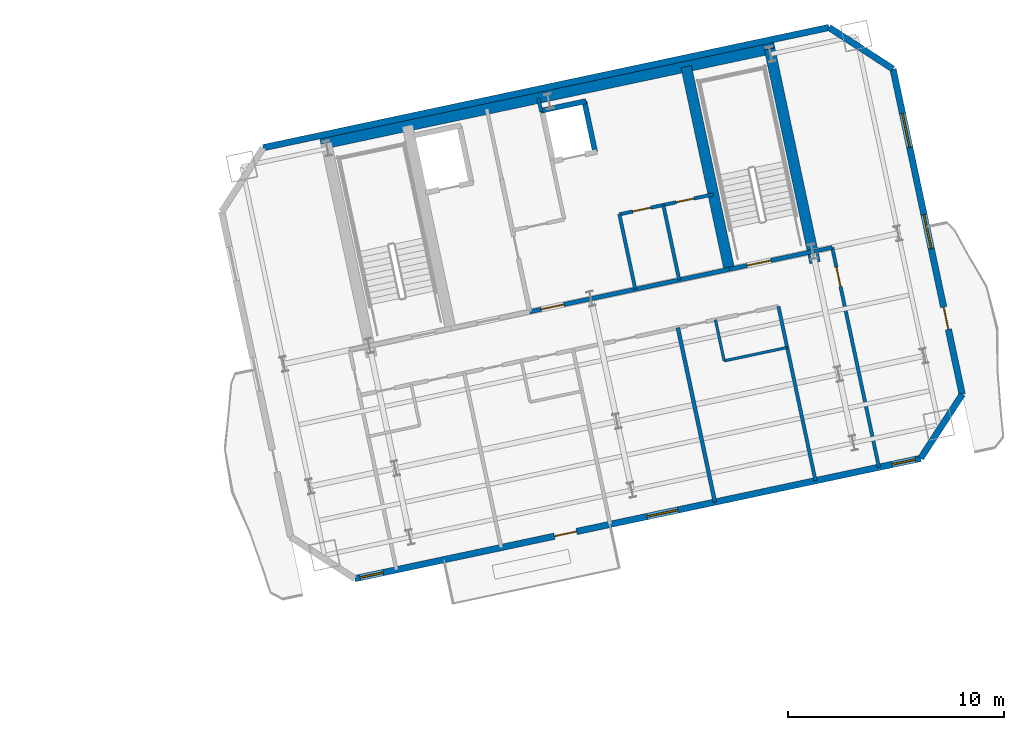
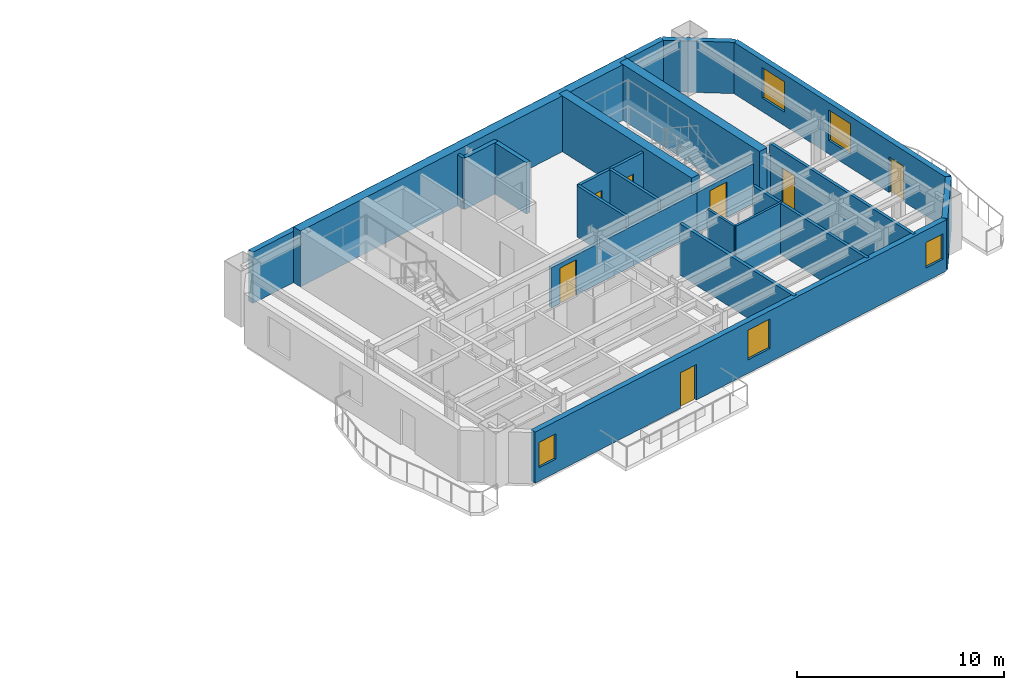
# One storey, part 8 of 13: 22 walls, 7 doors, 5 windows, 12 openings.
"""IFC4 building model written with IfcOpenShell, lengths in metres."""

from ifc_helpers import new_model, si_unit, direction, frame, frame_2d, origin, place, context, subcontext, project, spatial, rectangle, extrude, material, layer, layer_set, type_object, element, fill, save


model = new_model("IFC4")

# Units and contexts
model_context = context("Model", 3, precision=1e-05, world=origin(), true_north=direction((0.0, 1.0)))
body_context = subcontext(model_context, "Body", "Model", "MODEL_VIEW")
ifc_project = project(units=[si_unit("LENGTHUNIT", "METRE"), si_unit("AREAUNIT", "SQUARE_METRE"), si_unit("VOLUMEUNIT", "CUBIC_METRE"), si_unit("PLANEANGLEUNIT", "RADIAN"), si_unit("MASSUNIT", "GRAM", prefix="KILO")], contexts=[model_context])

# Site, building, storey
site_placement = place(None, origin())
site = spatial("IfcSite", under=ifc_project, at=site_placement, CompositionType="ELEMENT")
building_placement = place(site_placement, origin())
building = spatial("IfcBuilding", under=site, at=building_placement, Name="Haevon Station Towers", CompositionType="ELEMENT")
storey_placement = place(building_placement, frame((0.0, 0.0, 159.300048828125)))
storey = spatial("IfcBuildingStorey", under=building, at=storey_placement, Name="L43", CompositionType="ELEMENT", Elevation=159.300048828125)

# Walls
ifc_material_1 = material(Name="Gypsum board on steel stud", Category="steel")
ifc_layer_1 = layer(ifc_material_1, 0.179931640625)
ifc_layer_set_1 = layer_set([ifc_layer_1], Name="Gypsum board on steel stud")
wall_type_1 = type_object("IfcWallType", Name="WL-ACU180", PredefinedType="PARTITIONING", material=ifc_layer_set_1)
wall_1_placement = place(storey_placement, frame((119.29345703125, 41.80859375, 0.0), z_axis=(0.0, 0.0, 1.0), x_axis=(0.978133353907, 0.20797870558, 0.0)))
element("IfcWall", 1, at=wall_1_placement, inside=storey, type_object=wall_type_1, Name="WL-T2PT-L43-03", PredefinedType="PARTITIONING", context=body_context, shape_type="SweptSolid", body=[
    extrude(rectangle(XDim=0.925048828125, YDim=0.179931640625, at=frame_2d((0.46240234375, 0.0))), origin(), (0.0, 0.0, 1.0), 2.3798828125),
])
wall_2_placement = place(storey_placement, frame((114.7646484375, 30.203369140625, 0.0), z_axis=(0.0, 0.0, 1.0), x_axis=(-0.207930161076, 0.978143674577, 0.0)))
element("IfcWall", 2, at=wall_2_placement, inside=storey, type_object=wall_type_1, Name="WL-T2PT-L43-12", PredefinedType="PARTITIONING", context=body_context, shape_type="SweptSolid", body=[
    extrude(rectangle(XDim=8.260009765625, YDim=0.179931640625, at=frame_2d((4.1298828125, 0.0))), origin(), (0.0, 0.0, 1.0), 3.030029296875),
])

# Wall, opening, door
ifc_layer_2 = layer(ifc_material_1, 0.199951171875)
ifc_layer_set_2 = layer_set([ifc_layer_2], Name="Gypsum board on steel stud")
wall_type_2 = type_object("IfcWallType", Name="WL-COR200", PredefinedType="PARTITIONING", material=ifc_layer_set_2)
wall_3_placement = place(storey_placement, frame((115.4296875, 40.9873046875, 0.0), z_axis=(0.0, 0.0, 1.0), x_axis=(0.978146596989, 0.207916413008, 0.0)))
wall_3 = element("IfcWall", 3, at=wall_3_placement, inside=storey, type_object=wall_type_2, Name="WL-ST-ST4-L43", PredefinedType="PARTITIONING", context=body_context, shape_type="SweptSolid", body=[
    extrude(rectangle(XDim=3.9501953125, YDim=0.199951171875, at=frame_2d((1.97509765625, 0.0))), origin(), (0.0, 0.0, 1.0), 2.3798828125),
])
opening_1_placement = place(wall_3_placement, frame((0.85009765625, 0.0, 0.0)))
opening_1 = element("IfcOpeningElement", 4, at=opening_1_placement, cuts=wall_3, Name="Opening DR-ST-ST4-L43", PredefinedType="OPENING", context=body_context, shape_type="SweptSolid", body=[
    extrude(rectangle(XDim=1.1201171875, YDim=2.10009765625, at=frame_2d((0.56005859375, 1.050048828125))), frame((0.0, 0.10986328125, 0.0), z_axis=(0.0, -1.0, 0.0), x_axis=(1.0, 0.0, 0.0)), (0.0, 0.0, 1.0), 0.219970703125),
])
ifc_material_2 = material(Name="Engineered oak timber", Category="wood")
door_type_1 = type_object("IfcDoorType", Name="DR-ST-1120", OperationType="NOTDEFINED", PredefinedType="DOOR", material=ifc_material_2)
door_1_placement = place(opening_1_placement, origin())
door_1 = element("IfcDoor", 5, at=door_1_placement, inside=storey, type_object=door_type_1, Name="L43 Escape Stair ST4 Fire Door", OperationType="SINGLE_SWING_RIGHT", OverallHeight=2.10009765625, OverallWidth=1.1201171875, PredefinedType="DOOR", context=body_context, shape_type="SweptSolid", body=[
    extrude(rectangle(XDim=1.1201171875, YDim=2.10009765625, at=frame_2d((0.56005859375, 1.050048828125))), frame((0.0, 0.02490234375, 0.0), z_axis=(0.0, -1.0, 0.0), x_axis=(1.0, 0.0, 0.0)), (0.0, 0.0, 1.0), 0.050048828125),
])
fill(opening_1, door_1)

wall_4_placement = place(storey_placement, frame((106.186279296875, 39.0224609375, 0.0), z_axis=(0.0, 0.0, 1.0), x_axis=(0.978145519981, 0.20792147975, 0.0)))
wall_4 = element("IfcWall", 6, at=wall_4_placement, inside=storey, type_object=wall_type_2, Name="WL-T2CLB-L43", PredefinedType="PARTITIONING", context=body_context, shape_type="SweptSolid", body=[
    extrude(rectangle(XDim=9.449951171875, YDim=0.199951171875, at=frame_2d((4.72509765625, 0.0))), origin(), (0.0, 0.0, 1.0), 2.3798828125),
])
opening_2_placement = place(wall_4_placement, frame((0.550048828125, 0.0, 0.0)))
opening_2 = element("IfcOpeningElement", 7, at=opening_2_placement, cuts=wall_4, Name="Opening DR-T2CLB-L43-1", PredefinedType="OPENING", context=body_context, shape_type="SweptSolid", body=[
    extrude(rectangle(XDim=1.050048828125, YDim=2.10009765625, at=frame_2d((0.52490234375, 1.050048828125))), frame((0.0, 0.10986328125, 0.0), z_axis=(0.0, -1.0, 0.0), x_axis=(1.0, 0.0, 0.0)), (0.0, 0.0, 1.0), 0.219970703125),
])
door_type_2 = type_object("IfcDoorType", Name="DR-FD60-1050", OperationType="NOTDEFINED", PredefinedType="DOOR", material=ifc_material_2)
door_2_placement = place(opening_2_placement, origin())
door_2 = element("IfcDoor", 8, at=door_2_placement, inside=storey, type_object=door_type_2, Name="L43 Tower 2 Core Lift Lobby Door 1", OperationType="SINGLE_SWING_LEFT", OverallHeight=2.10009765625, OverallWidth=1.050048828125, PredefinedType="DOOR", context=body_context, shape_type="SweptSolid", body=[
    extrude(rectangle(XDim=1.050048828125, YDim=2.10009765625, at=frame_2d((0.52490234375, 1.050048828125))), frame((0.0, 0.02490234375, 0.0), z_axis=(0.0, -1.0, 0.0), x_axis=(1.0, 0.0, 0.0)), (0.0, 0.0, 1.0), 0.050048828125),
])
fill(opening_2, door_2)

# Walls
ifc_material_3 = material(Name="Concrete C60/75", Category="concrete")
ifc_layer_3 = layer(ifc_material_3, 0.5)
ifc_layer_set_3 = layer_set([ifc_layer_3], Name="Concrete C60/75")
wall_type_3 = type_object("IfcWallType", Name="WL-CR500", PredefinedType="SHEAR", material=ifc_layer_set_3)
wall_5_placement = place(storey_placement, frame((96.511962890625, 46.78076171875, 0.0), z_axis=(0.0, 0.0, 1.0), x_axis=(0.978148546782, 0.207907239961, 0.0)))
element("IfcWall", 9, at=wall_5_placement, inside=storey, type_object=wall_type_3, Name="WL-T2CR-L43-N", PredefinedType="SHEAR", context=body_context, shape_type="SweptSolid", body=[
    extrude(rectangle(XDim=21.499755859375, YDim=0.5, at=frame_2d((10.75, 0.0))), origin(), (0.0, 0.0, 1.0), 3.300048828125),
])
wall_6_placement = place(storey_placement, frame((119.401611328125, 41.2998046875, 0.0), z_axis=(0.0, 0.0, 1.0), x_axis=(-0.207904342798, 0.978149162575, 0.0)))
element("IfcWall", 10, at=wall_6_placement, inside=storey, type_object=wall_type_3, Name="WL-T2CR-L43-E", PredefinedType="SHEAR", context=body_context, shape_type="SweptSolid", body=[
    extrude(rectangle(XDim=10.1201171875, YDim=0.5, at=frame_2d((5.06005859375, 0.0))), origin(), (0.0, 0.0, 1.0), 3.300048828125),
])
wall_7_placement = place(storey_placement, frame((115.4296875, 40.9873046875, 0.0), z_axis=(0.0, 0.0, 1.0), x_axis=(-0.207903162969, 0.978149413345, 0.0)))
element("IfcWall", 11, at=wall_7_placement, inside=storey, type_object=wall_type_3, Name="WL-T2CR-L43-M2", PredefinedType="SHEAR", context=body_context, shape_type="SweptSolid", body=[
    extrude(rectangle(XDim=9.599853515625, YDim=0.5, at=frame_2d((4.7998046875, 0.0))), origin(), (0.0, 0.0, 1.0), 3.300048828125),
])

# Wall, openings, door, windows
ifc_material_4 = material(Name="Precast concrete C45/55", Category="concrete")
ifc_layer_4 = layer(ifc_material_4, 0.300048828125)
ifc_layer_set_4 = layer_set([ifc_layer_4], Name="Precast concrete C45/55")
wall_type_4 = type_object("IfcWallType", Name="WL-EXT-PIER300", PredefinedType="SOLIDWALL", material=ifc_layer_set_4)
wall_8_placement = place(storey_placement, frame((124.29443359375, 32.22900390625, 0.0), z_axis=(0.0, 0.0, 1.0), x_axis=(-0.978147690128, -0.20791127025, 0.0)))
wall_8 = element("IfcWall", 12, at=wall_8_placement, inside=storey, type_object=wall_type_4, Name="WL-T2-L43-S", PredefinedType="SOLIDWALL", context=body_context, shape_type="SweptSolid", body=[
    extrude(rectangle(XDim=26.800048828125, YDim=0.300048828125, at=frame_2d((13.39990234375, 0.0))), origin(), (0.0, 0.0, 1.0), 3.030029296875),
])
opening_3_placement = place(wall_8_placement, frame((16.295166015625, 0.0, 0.0)))
opening_3 = element("IfcOpeningElement", 13, at=opening_3_placement, cuts=wall_8, Name="Opening DR-T2-PBAND-L43-1", PredefinedType="OPENING", context=body_context, shape_type="SweptSolid", body=[
    extrude(rectangle(XDim=1.050048828125, YDim=2.10009765625, at=frame_2d((0.52490234375, 1.050048828125))), frame((0.0, 0.159912109375, 0.0), z_axis=(0.0, -1.0, 0.0), x_axis=(1.0, 0.0, 0.0)), (0.0, 0.0, 1.0), 0.320068359375),
])
opening_4_placement = place(wall_8_placement, frame((25.449951171875, 0.0, 0.800048828125)))
opening_4 = element("IfcOpeningElement", 14, at=opening_4_placement, cuts=wall_8, Name="Opening WN-COR110", PredefinedType="OPENING", context=body_context, shape_type="SweptSolid", body=[
    extrude(rectangle(XDim=1.10009765625, YDim=1.5, at=frame_2d((0.550048828125, 0.75))), frame((0.0, 0.159912109375, 0.0), z_axis=(0.0, -1.0, 0.0), x_axis=(1.0, 0.0, 0.0)), (0.0, 0.0, 1.0), 0.320068359375),
])
opening_5_placement = place(wall_8_placement, frame((0.25, 0.0, 0.800048828125)))
opening_5 = element("IfcOpeningElement", 15, at=opening_5_placement, cuts=wall_8, Name="Opening WN-COR110", PredefinedType="OPENING", context=body_context, shape_type="SweptSolid", body=[
    extrude(rectangle(XDim=1.10009765625, YDim=1.5, at=frame_2d((0.550048828125, 0.75))), frame((0.0, 0.159912109375, 0.0), z_axis=(0.0, -1.0, 0.0), x_axis=(1.0, 0.0, 0.0)), (0.0, 0.0, 1.0), 0.320068359375),
])
opening_6_placement = place(wall_8_placement, frame((11.498291015625, 0.0, 0.800048828125)))
opening_6 = element("IfcOpeningElement", 16, at=opening_6_placement, cuts=wall_8, Name="Opening WN-P145", PredefinedType="OPENING", context=body_context, shape_type="SweptSolid", body=[
    extrude(rectangle(XDim=1.449951171875, YDim=1.75, at=frame_2d((0.72509765625, 0.875))), frame((0.0, 0.159912109375, 0.0), z_axis=(0.0, -1.0, 0.0), x_axis=(1.0, 0.0, 0.0)), (0.0, 0.0, 1.0), 0.320068359375),
])
ifc_material_5 = material(Name="Thermally broken anodised aluminium and laminated safety glass", Category="aluminium")
door_type_3 = type_object("IfcDoorType", Name="DR-BALC-1050", OperationType="NOTDEFINED", PredefinedType="DOOR", material=ifc_material_5)
door_3_placement = place(opening_3_placement, origin())
door_3 = element("IfcDoor", 17, at=door_3_placement, inside=storey, type_object=door_type_3, Name="Tower 2 L43 Balcony Terrace Door", OperationType="SINGLE_SWING_RIGHT", OverallHeight=2.10009765625, OverallWidth=1.050048828125, PredefinedType="DOOR", context=body_context, shape_type="SweptSolid", body=[
    extrude(rectangle(XDim=1.050048828125, YDim=2.10009765625, at=frame_2d((0.52490234375, 1.050048828125))), frame((0.0, 0.02490234375, 0.0), z_axis=(0.0, -1.0, 0.0), x_axis=(1.0, 0.0, 0.0)), (0.0, 0.0, 1.0), 0.050048828125),
])
fill(opening_3, door_3)
ifc_material_6 = material(Name="Low-E triple glazing in thermally broken aluminium", Category="aluminium")
window_type_1 = type_object("IfcWindowType", Name="WN-COR110", PartitioningType="SINGLE_PANEL", PredefinedType="WINDOW", material=ifc_material_6)
window_1_placement = place(opening_4_placement, origin())
window_1 = element("IfcWindow", 18, at=window_1_placement, inside=storey, type_object=window_type_1, Name="WN-T2-L43-S01", OverallHeight=1.5, OverallWidth=1.10009765625, PartitioningType="SINGLE_PANEL", PredefinedType="WINDOW", context=body_context, shape_type="SweptSolid", body=[
    extrude(rectangle(XDim=1.10009765625, YDim=1.5, at=frame_2d((0.550048828125, 0.75))), frame((0.0, 0.030029296875, 0.0), z_axis=(0.0, -1.0, 0.0), x_axis=(1.0, 0.0, 0.0)), (0.0, 0.0, 1.0), 0.06005859375),
])
fill(opening_4, window_1)
window_2_placement = place(opening_5_placement, origin())
window_2 = element("IfcWindow", 19, at=window_2_placement, inside=storey, type_object=window_type_1, Name="WN-T2-L43-S02", OverallHeight=1.5, OverallWidth=1.10009765625, PartitioningType="SINGLE_PANEL", PredefinedType="WINDOW", context=body_context, shape_type="SweptSolid", body=[
    extrude(rectangle(XDim=1.10009765625, YDim=1.5, at=frame_2d((0.550048828125, 0.75))), frame((0.0, 0.030029296875, 0.0), z_axis=(0.0, -1.0, 0.0), x_axis=(1.0, 0.0, 0.0)), (0.0, 0.0, 1.0), 0.06005859375),
])
fill(opening_5, window_2)
window_type_2 = type_object("IfcWindowType", Name="WN-P145", PartitioningType="SINGLE_PANEL", PredefinedType="WINDOW", material=ifc_material_6)
window_3_placement = place(opening_6_placement, origin())
window_3 = element("IfcWindow", 20, at=window_3_placement, inside=storey, type_object=window_type_2, Name="WN-T2-L43-S03", OverallHeight=1.75, OverallWidth=1.449951171875, PartitioningType="SINGLE_PANEL", PredefinedType="WINDOW", context=body_context, shape_type="SweptSolid", body=[
    extrude(rectangle(XDim=1.449951171875, YDim=1.75, at=frame_2d((0.72509765625, 0.875))), frame((0.0, 0.030029296875, 0.0), z_axis=(0.0, -1.0, 0.0), x_axis=(1.0, 0.0, 0.0)), (0.0, 0.0, 1.0), 0.06005859375),
])
fill(opening_6, window_3)

# Walls
wall_9_placement = place(storey_placement, frame((93.836669921875, 46.620849609375, 0.0), z_axis=(0.0, 0.0, 1.0), x_axis=(0.978147690128, 0.20791127025, 0.0)))
element("IfcWall", 21, at=wall_9_placement, inside=storey, type_object=wall_type_4, Name="WL-T2-L43-N", PredefinedType="SOLIDWALL", context=body_context, shape_type="SweptSolid", body=[
    extrude(rectangle(XDim=26.800048828125, YDim=0.300048828125, at=frame_2d((13.39990234375, 0.0))), origin(), (0.0, 0.0, 1.0), 3.030029296875),
])
wall_10_placement = place(storey_placement, frame((120.051025390625, 52.19287109375, 0.0), z_axis=(0.0, 0.0, 1.0), x_axis=(0.838672309694, -0.544636352948, 0.0)))
element("IfcWall", 22, at=wall_10_placement, inside=storey, type_object=wall_type_4, Name="WL-T2-L43-NEC", PredefinedType="SOLIDWALL", context=body_context, shape_type="SweptSolid", body=[
    extrude(rectangle(XDim=3.535400390625, YDim=0.300048828125, at=frame_2d((1.767578125, 0.0))), origin(), (0.0, 0.0, 1.0), 3.030029296875),
])

# Wall, openings, door, windows
wall_11_placement = place(storey_placement, frame((123.01611328125, 50.267333984375, 0.0), z_axis=(0.0, 0.0, 1.0), x_axis=(0.207908020757, -0.978148380822, 0.0)))
wall_11 = element("IfcWall", 23, at=wall_11_placement, inside=storey, type_object=wall_type_4, Name="WL-T2-L43-E", PredefinedType="SOLIDWALL", context=body_context, shape_type="SweptSolid", body=[
    extrude(rectangle(XDim=15.409912109375, YDim=0.300048828125, at=frame_2d((7.705078125, 0.0))), origin(), (0.0, 0.0, 1.0), 3.030029296875),
])
opening_7_placement = place(wall_11_placement, frame((11.280029296875, 0.0, 0.0)))
opening_7 = element("IfcOpeningElement", 24, at=opening_7_placement, cuts=wall_11, Name="Opening DR-T2-SCAL-L43-E", PredefinedType="OPENING", context=body_context, shape_type="SweptSolid", body=[
    extrude(rectangle(XDim=1.050048828125, YDim=2.10009765625, at=frame_2d((0.52490234375, 1.050048828125))), frame((0.0, 0.159912109375, 0.0), z_axis=(0.0, -1.0, 0.0), x_axis=(1.0, 0.0, 0.0)), (0.0, 0.0, 1.0), 0.320068359375),
])
opening_8_placement = place(wall_11_placement, frame((2.108154296875, 0.0, 0.800048828125)))
opening_8 = element("IfcOpeningElement", 25, at=opening_8_placement, cuts=wall_11, Name="Opening WN-END160", PredefinedType="OPENING", context=body_context, shape_type="SweptSolid", body=[
    extrude(rectangle(XDim=1.60009765625, YDim=1.800048828125, at=frame_2d((0.800048828125, 0.89990234375))), frame((0.0, 0.159912109375, 0.0), z_axis=(0.0, -1.0, 0.0), x_axis=(1.0, 0.0, 0.0)), (0.0, 0.0, 1.0), 0.320068359375),
])
opening_9_placement = place(wall_11_placement, frame((6.905029296875, 0.0, 0.800048828125)))
opening_9 = element("IfcOpeningElement", 26, at=opening_9_placement, cuts=wall_11, Name="Opening WN-END160", PredefinedType="OPENING", context=body_context, shape_type="SweptSolid", body=[
    extrude(rectangle(XDim=1.60009765625, YDim=1.800048828125, at=frame_2d((0.800048828125, 0.89990234375))), frame((0.0, 0.159912109375, 0.0), z_axis=(0.0, -1.0, 0.0), x_axis=(1.0, 0.0, 0.0)), (0.0, 0.0, 1.0), 0.320068359375),
])
door_4_placement = place(opening_7_placement, origin())
door_4 = element("IfcDoor", 27, at=door_4_placement, inside=storey, type_object=door_type_3, Name="Tower 2 L43 East Scalloped Balcony Door", OperationType="SINGLE_SWING_RIGHT", OverallHeight=2.10009765625, OverallWidth=1.050048828125, PredefinedType="DOOR", context=body_context, shape_type="SweptSolid", body=[
    extrude(rectangle(XDim=1.050048828125, YDim=2.10009765625, at=frame_2d((0.52490234375, 1.050048828125))), frame((0.0, 0.02490234375, 0.0), z_axis=(0.0, -1.0, 0.0), x_axis=(1.0, 0.0, 0.0)), (0.0, 0.0, 1.0), 0.050048828125),
])
fill(opening_7, door_4)
window_type_3 = type_object("IfcWindowType", Name="WN-END160", PartitioningType="SINGLE_PANEL", PredefinedType="WINDOW", material=ifc_material_6)
window_4_placement = place(opening_8_placement, origin())
window_4 = element("IfcWindow", 28, at=window_4_placement, inside=storey, type_object=window_type_3, Name="WN-T2-L43-E01", OverallHeight=1.800048828125, OverallWidth=1.60009765625, PartitioningType="SINGLE_PANEL", PredefinedType="WINDOW", context=body_context, shape_type="SweptSolid", body=[
    extrude(rectangle(XDim=1.60009765625, YDim=1.800048828125, at=frame_2d((0.800048828125, 0.89990234375))), frame((0.0, 0.030029296875, 0.0), z_axis=(0.0, -1.0, 0.0), x_axis=(1.0, 0.0, 0.0)), (0.0, 0.0, 1.0), 0.06005859375),
])
fill(opening_8, window_4)
window_5_placement = place(opening_9_placement, origin())
window_5 = element("IfcWindow", 29, at=window_5_placement, inside=storey, type_object=window_type_3, Name="WN-T2-L43-E02", OverallHeight=1.800048828125, OverallWidth=1.60009765625, PartitioningType="SINGLE_PANEL", PredefinedType="WINDOW", context=body_context, shape_type="SweptSolid", body=[
    extrude(rectangle(XDim=1.60009765625, YDim=1.800048828125, at=frame_2d((0.800048828125, 0.89990234375))), frame((0.0, 0.030029296875, 0.0), z_axis=(0.0, -1.0, 0.0), x_axis=(1.0, 0.0, 0.0)), (0.0, 0.0, 1.0), 0.06005859375),
])
fill(opening_9, window_5)

# Walls
wall_12_placement = place(storey_placement, frame((126.219970703125, 35.194091796875, 0.0), z_axis=(0.0, 0.0, 1.0), x_axis=(-0.544636352948, -0.838672309694, 0.0)))
element("IfcWall", 30, at=wall_12_placement, inside=storey, type_object=wall_type_4, Name="WL-T2-L43-SEC", PredefinedType="SOLIDWALL", context=body_context, shape_type="SweptSolid", body=[
    extrude(rectangle(XDim=3.535400390625, YDim=0.300048828125, at=frame_2d((1.767578125, 0.0))), origin(), (0.0, 0.0, 1.0), 3.030029296875),
])
ifc_layer_5 = layer(ifc_material_1, 0.125)
ifc_layer_set_5 = layer_set([ifc_layer_5], Name="Gypsum board on steel stud")
wall_type_5 = type_object("IfcWallType", Name="WL-PRT125", PredefinedType="PARTITIONING", material=ifc_layer_set_5)
wall_13_placement = place(storey_placement, frame((115.193603515625, 36.74560546875, 0.0), z_axis=(0.0, 0.0, 1.0), x_axis=(0.978151985966, 0.207891058853, 0.0)))
element("IfcWall", 31, at=wall_13_placement, inside=storey, type_object=wall_type_5, Name="WL-T2PT-L43-13", PredefinedType="PARTITIONING", context=body_context, shape_type="SweptSolid", body=[
    extrude(rectangle(XDim=2.98291015625, YDim=0.125, at=frame_2d((1.491455078125, 0.0))), origin(), (0.0, 0.0, 1.0), 3.030029296875),
])
wall_14_placement = place(storey_placement, frame((115.193603515625, 36.74560546875, 0.0), z_axis=(0.0, 0.0, 1.0), x_axis=(-0.207852765683, 0.978160123803, 0.0)))
element("IfcWall", 32, at=wall_14_placement, inside=storey, type_object=wall_type_5, Name="WL-T2PT-L43-14", PredefinedType="PARTITIONING", context=body_context, shape_type="SweptSolid", body=[
    extrude(rectangle(XDim=1.94970703125, YDim=0.125, at=frame_2d((0.974853515625, 0.0))), origin(), (0.0, 0.0, 1.0), 3.030029296875),
])
ifc_layer_6 = layer(ifc_material_1, 0.159912109375)
ifc_layer_set_6 = layer_set([ifc_layer_6], Name="Gypsum board on steel stud")
wall_type_6 = type_object("IfcWallType", Name="WL-PRT160", PredefinedType="PARTITIONING", material=ifc_layer_set_6)
wall_15_placement = place(storey_placement, frame((106.721923828125, 48.286376953125, 0.0), z_axis=(0.0, 0.0, 1.0), x_axis=(-0.208092352933, 0.978109182377, 0.0)))
element("IfcWall", 33, at=wall_15_placement, inside=storey, type_object=wall_type_6, Name="WL-T2CW-L43-04", PredefinedType="PARTITIONING", context=body_context, shape_type="SweptSolid", body=[
    extrude(rectangle(XDim=0.64990234375, YDim=0.159912109375, at=frame_2d((0.324951171875, 0.0))), origin(), (0.0, 0.0, 1.0), 3.030029296875),
])
for number, where, z_axis, x_axis, name in (
    (34, (111.076904296875, 40.06201171875, 0.0), (0.0, 0.0, 1.0), (-0.207899058817, 0.978150285663, 0.0), "WL-T2CW-L43-05"),
    (35, (113.111572265625, 40.49462890625, 0.0), (0.0, 0.0, 1.0), (-0.207899058817, 0.978150285663, 0.0), "WL-T2CW-L43-06"),
):
    element("IfcWall", number, at=place(storey_placement, frame(where, z_axis=z_axis, x_axis=x_axis)), inside=storey, type_object=wall_type_6, Name=name, PredefinedType="PARTITIONING", context=body_context, shape_type="SweptSolid", body=[
        extrude(rectangle(XDim=3.550048828125, YDim=0.159912109375, at=frame_2d((1.77490234375, 0.0))), origin(), (0.0, 0.0, 1.0), 3.030029296875),
    ])

# Wall, openings, doors
wall_16_placement = place(storey_placement, frame((110.3388671875, 43.534423828125, 0.0), z_axis=(0.0, 0.0, 1.0), x_axis=(0.978143929138, 0.207928963567, 0.0)))
wall_16 = element("IfcWall", 36, at=wall_16_placement, inside=storey, type_object=wall_type_6, Name="WL-T2CW-L43-07", PredefinedType="PARTITIONING", context=body_context, shape_type="SweptSolid", body=[
    extrude(rectangle(XDim=4.449951171875, YDim=0.159912109375, at=frame_2d((2.22509765625, 0.0))), origin(), (0.0, 0.0, 1.0), 3.030029296875),
])
opening_10_placement = place(wall_16_placement, frame((0.635009765625, 0.0, 0.0)))
opening_10 = element("IfcOpeningElement", 37, at=opening_10_placement, cuts=wall_16, Name="Opening DR-WL-T2CW-L43-07-1", PredefinedType="OPENING", context=body_context, shape_type="SweptSolid", body=[
    extrude(rectangle(XDim=0.85009765625, YDim=2.050048828125, at=frame_2d((0.425048828125, 1.02490234375))), frame((0.0, 0.08984375, 0.0), z_axis=(0.0, -1.0, 0.0), x_axis=(1.0, 0.0, 0.0)), (0.0, 0.0, 1.0), 0.179931640625),
])
opening_11_placement = place(wall_16_placement, frame((2.679931640625, 0.0, 0.0)))
opening_11 = element("IfcOpeningElement", 38, at=opening_11_placement, cuts=wall_16, Name="Opening DR-WL-T2CW-L43-07-2", PredefinedType="OPENING", context=body_context, shape_type="SweptSolid", body=[
    extrude(rectangle(XDim=0.85009765625, YDim=2.050048828125, at=frame_2d((0.425048828125, 1.02490234375))), frame((0.0, 0.08984375, 0.0), z_axis=(0.0, -1.0, 0.0), x_axis=(1.0, 0.0, 0.0)), (0.0, 0.0, 1.0), 0.179931640625),
])
door_type_4 = type_object("IfcDoorType", Name="DR-FD30-850", OperationType="NOTDEFINED", PredefinedType="DOOR", material=ifc_material_2)
door_5_placement = place(opening_10_placement, origin())
door_5 = element("IfcDoor", 39, at=door_5_placement, inside=storey, type_object=door_type_4, Name="L43 Tower 2 Core Room Door 7-1", OperationType="SINGLE_SWING_RIGHT", OverallHeight=2.050048828125, OverallWidth=0.85009765625, PredefinedType="DOOR", context=body_context, shape_type="SweptSolid", body=[
    extrude(rectangle(XDim=0.85009765625, YDim=2.050048828125, at=frame_2d((0.425048828125, 1.02490234375))), frame((0.0, 0.02490234375, 0.0), z_axis=(0.0, -1.0, 0.0), x_axis=(1.0, 0.0, 0.0)), (0.0, 0.0, 1.0), 0.050048828125),
])
fill(opening_10, door_5)
door_6_placement = place(opening_11_placement, origin())
door_6 = element("IfcDoor", 40, at=door_6_placement, inside=storey, type_object=door_type_4, Name="L43 Tower 2 Core Room Door 7-2", OperationType="SINGLE_SWING_LEFT", OverallHeight=2.050048828125, OverallWidth=0.85009765625, PredefinedType="DOOR", context=body_context, shape_type="SweptSolid", body=[
    extrude(rectangle(XDim=0.85009765625, YDim=2.050048828125, at=frame_2d((0.425048828125, 1.02490234375))), frame((0.0, 0.02490234375, 0.0), z_axis=(0.0, -1.0, 0.0), x_axis=(1.0, 0.0, 0.0)), (0.0, 0.0, 1.0), 0.050048828125),
])
fill(opening_11, door_6)

# Wall
wall_17_placement = place(storey_placement, frame((119.42333984375, 31.193603515625, 0.0), z_axis=(0.0, 0.0, 1.0), x_axis=(-0.207930161076, 0.978143674577, 0.0)))
element("IfcWall", 41, at=wall_17_placement, inside=storey, type_object=wall_type_6, Name="WL-T2PT-L43-01", PredefinedType="PARTITIONING", context=body_context, shape_type="SweptSolid", body=[
    extrude(rectangle(XDim=8.260009765625, YDim=0.159912109375, at=frame_2d((4.1298828125, 0.0))), origin(), (0.0, 0.0, 1.0), 3.030029296875),
])

# Wall, opening, door
wall_18_placement = place(storey_placement, frame((122.362548828125, 31.818359375, 0.0), z_axis=(0.0, 0.0, 1.0), x_axis=(-0.207904755642, 0.978149074825, 0.0)))
wall_18 = element("IfcWall", 42, at=wall_18_placement, inside=storey, type_object=wall_type_6, Name="WL-T2PT-L43-05", PredefinedType="PARTITIONING", context=body_context, shape_type="SweptSolid", body=[
    extrude(rectangle(XDim=10.41015625, YDim=0.159912109375, at=frame_2d((5.205078125, 0.0))), origin(), (0.0, 0.0, 1.0), 3.030029296875),
])
opening_12_placement = place(wall_18_placement, frame((8.580078125, 0.0, 0.0)))
opening_12 = element("IfcOpeningElement", 43, at=opening_12_placement, cuts=wall_18, Name="Opening DR-WL-T2PT-L43-05-01", PredefinedType="OPENING", context=body_context, shape_type="SweptSolid", body=[
    extrude(rectangle(XDim=0.89990234375, YDim=2.050048828125, at=frame_2d((0.449951171875, 1.02490234375))), frame((0.0, 0.08984375, 0.0), z_axis=(0.0, -1.0, 0.0), x_axis=(1.0, 0.0, 0.0)), (0.0, 0.0, 1.0), 0.179931640625),
])
door_type_5 = type_object("IfcDoorType", Name="DR-INT-900", OperationType="NOTDEFINED", PredefinedType="DOOR", material=ifc_material_2)
door_7_placement = place(opening_12_placement, origin())
door_7 = element("IfcDoor", 44, at=door_7_placement, inside=storey, type_object=door_type_5, Name="L43 Tower 2 Room Door 5-1", OperationType="SINGLE_SWING_LEFT", OverallHeight=2.050048828125, OverallWidth=0.89990234375, PredefinedType="DOOR", context=body_context, shape_type="SweptSolid", body=[
    extrude(rectangle(XDim=0.89990234375, YDim=2.050048828125, at=frame_2d((0.449951171875, 1.02490234375))), frame((0.0, 0.02490234375, 0.0), z_axis=(0.0, -1.0, 0.0), x_axis=(1.0, 0.0, 0.0)), (0.0, 0.0, 1.0), 0.050048828125),
])
fill(opening_12, door_7)

# Walls
ifc_material_7 = material(Name="Concrete C40/50", Category="concrete")
ifc_layer_7 = layer(ifc_material_7, 0.239990234375)
ifc_layer_set_7 = layer_set([ifc_layer_7], Name="Concrete C40/50")
wall_type_7 = type_object("IfcWallType", Name="WL-SHF240", PredefinedType="PARTITIONING", material=ifc_layer_set_7)
wall_19_placement = place(storey_placement, frame((106.68212890625, 48.3291015625, 0.0), z_axis=(0.0, 0.0, 1.0), x_axis=(0.978158276388, 0.207861459473, 0.0)))
element("IfcWall", 45, at=wall_19_placement, inside=storey, type_object=wall_type_7, Name="WL-SHF-PL8-L43-N", PredefinedType="PARTITIONING", context=body_context, shape_type="SweptSolid", body=[
    extrude(rectangle(XDim=2.159912109375, YDim=0.239990234375, at=frame_2d((1.080078125, 0.0))), origin(), (0.0, 0.0, 1.0), 3.030029296875),
])
wall_20_placement = place(storey_placement, frame((109.2158203125, 46.413818359375, 0.0), z_axis=(0.0, 0.0, 1.0), x_axis=(-0.207917150959, 0.978146440129, 0.0)))
element("IfcWall", 46, at=wall_20_placement, inside=storey, type_object=wall_type_7, Name="WL-SHF-PL8-L43-E", PredefinedType="PARTITIONING", context=body_context, shape_type="SweptSolid", body=[
    extrude(rectangle(XDim=2.400146484375, YDim=0.239990234375, at=frame_2d((1.2001953125, 0.0))), origin(), (0.0, 0.0, 1.0), 3.030029296875),
])

save(model, "model.ifc")
